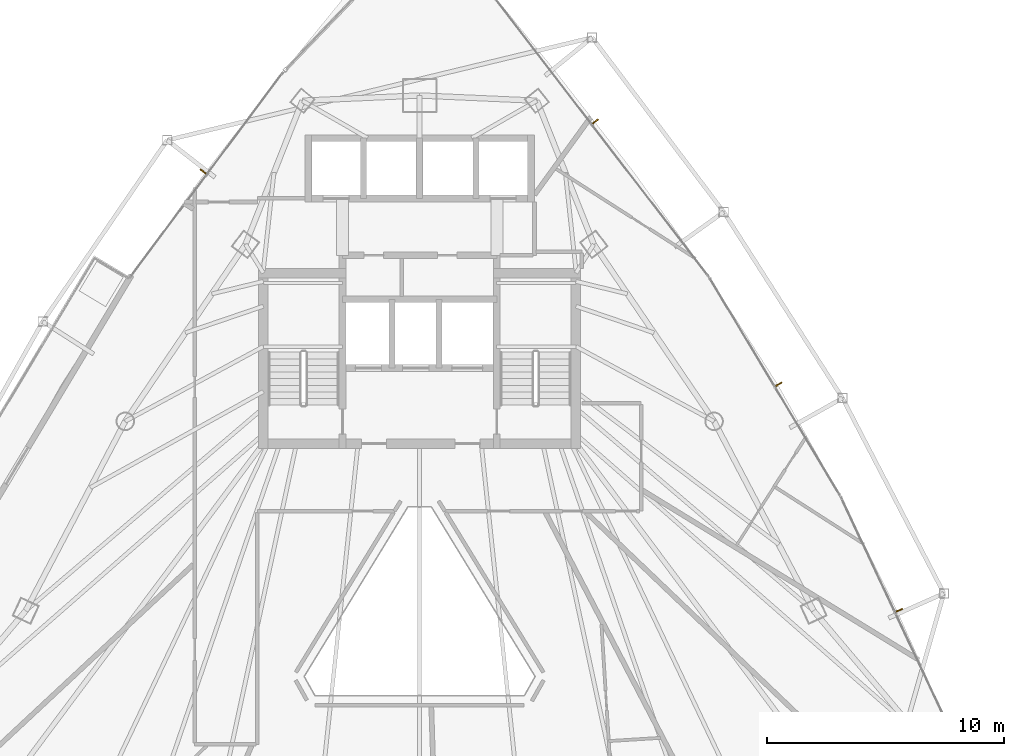
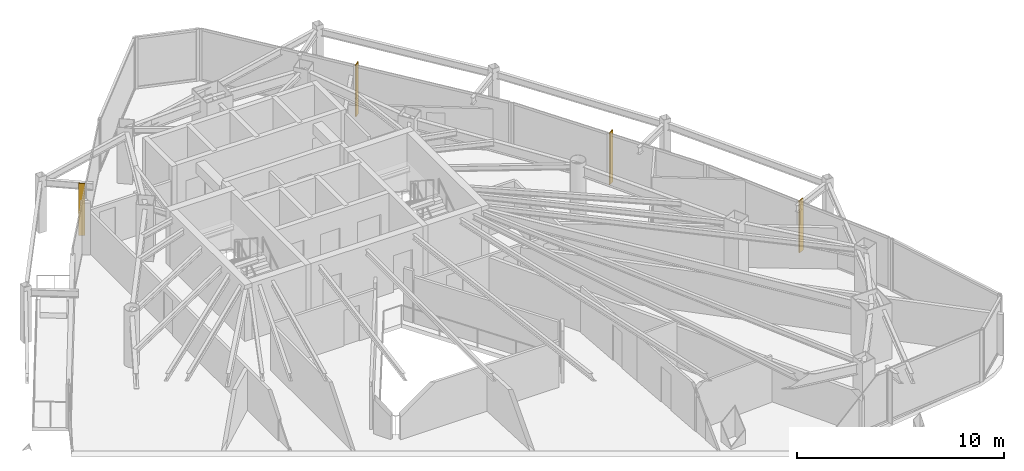
# One storey, part 29 of 29: 4 shading devices.
"""IFC4 building model written with IfcOpenShell, lengths in metres."""

from ifc_helpers import new_model, si_unit, direction, frame, origin, origin_2d, place, context, subcontext, project, spatial, rectangle, extrude, material, layer, layer_set, type_object, element, save


model = new_model("IFC4")

# Units and contexts
model_context = context("Model", 3, precision=1e-05, world=origin(), true_north=direction((0.0, 1.0)))
body_context = subcontext(model_context, "Body", "Model", "MODEL_VIEW")
ifc_project = project(units=[si_unit("LENGTHUNIT", "METRE"), si_unit("AREAUNIT", "SQUARE_METRE"), si_unit("VOLUMEUNIT", "CUBIC_METRE"), si_unit("PLANEANGLEUNIT", "RADIAN"), si_unit("MASSUNIT", "GRAM", prefix="KILO")], contexts=[model_context])

# Site, building, storey
site_placement = place(None, origin())
site = spatial("IfcSite", under=ifc_project, at=site_placement, CompositionType="ELEMENT")
building_placement = place(site_placement, origin())
building = spatial("IfcBuilding", under=site, at=building_placement, Name="Orvanel Arch Residences", CompositionType="ELEMENT")
storey_placement = place(building_placement, frame((0.0, 0.0, 173.75)))
storey = spatial("IfcBuildingStorey", under=building, at=storey_placement, Name="L49", CompositionType="ELEMENT", Elevation=173.75)

# Shading devices
ifc_material = material(Name="Bronze-anodised aluminium AA6063-T6", Category="aluminium")
ifc_layer = layer(ifc_material, 0.054931640625)
ifc_layer_set = layer_set([ifc_layer], Name="Bronze-anodised aluminium AA6063-T6")
shading_device_type = type_object("IfcShadingDeviceType", Name="FIN-BRZ-320", PredefinedType="USERDEFINED", material=ifc_layer_set)
for number, where, z_axis, x_axis, name in (
    (1, (23.867919921875, 38.180908203125, 0.0), (0.0, 0.0, 1.0), (-0.801775644244, 0.597625146976, 0.0), "L49 Anodised Bronze Mullion FIN 01"),
    (2, (53.243896484375, 19.656982421875, 0.0), (0.0, 0.0, 1.0), (0.904827052466, 0.425779291565, 0.0), "L49 Anodised Bronze Mullion FIN 01"),
    (3, (48.156982421875, 29.199951171875, 0.0), (0.0, 0.0, 1.0), (0.857167300702, 0.51503807491, 0.0), "L49 Anodised Bronze Mullion FIN 01"),
    (4, (40.412109375, 40.2958984375, 0.0), (0.0, 0.0, 1.0), (0.793353340291, 0.608761429009, 0.0), "L49 Anodised Bronze Mullion FIN 01"),
):
    element("IfcShadingDevice", number, at=place(storey_placement, frame(where, z_axis=z_axis, x_axis=x_axis)), inside=storey, type_object=shading_device_type, Name=name, ObjectType="FIN", PredefinedType="USERDEFINED", context=body_context, shape_type="SweptSolid", body=[
        extrude(rectangle(XDim=0.320068359375, YDim=0.054931640625, at=origin_2d()), origin(), (0.0, 0.0, 1.0), 3.06005859375),
    ])

save(model, "model.ifc")
